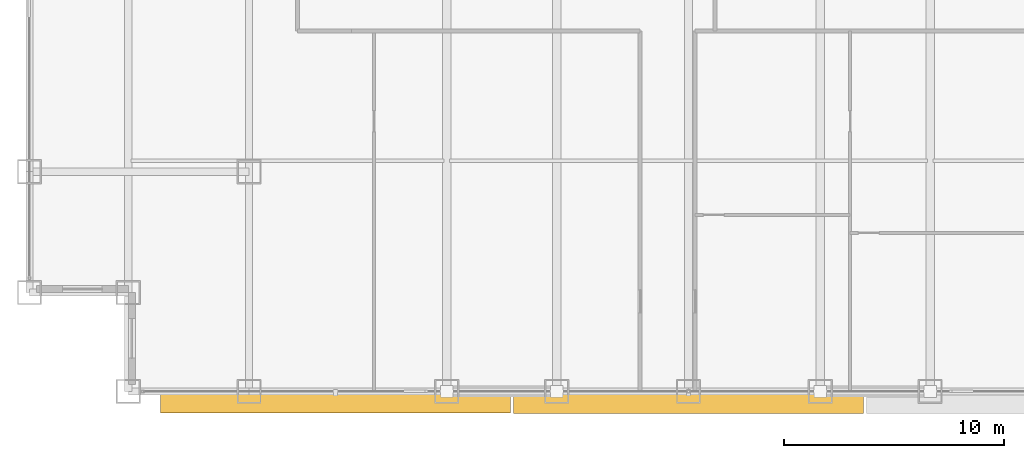
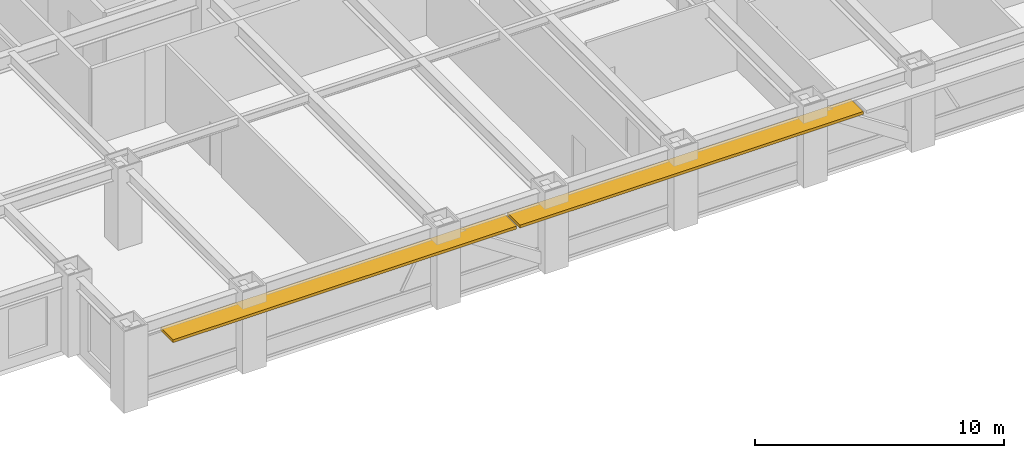
# One storey, part 24 of 28: 2 shading devices.
"""IFC4 building model written with IfcOpenShell, lengths in metres."""

from ifc_helpers import new_model, si_unit, direction, frame, origin, origin_2d, place, context, subcontext, project, spatial, rectangle, extrude, source, transform, mapped, material, layer, layer_set, type_object, element, save


model = new_model("IFC4")

# Units and contexts
model_context = context("Model", 3, precision=1e-05, world=origin(), true_north=direction((0.0, 1.0)))
body_context = subcontext(model_context, "Body", "Model", "MODEL_VIEW")
ifc_project = project(units=[si_unit("LENGTHUNIT", "METRE"), si_unit("AREAUNIT", "SQUARE_METRE"), si_unit("VOLUMEUNIT", "CUBIC_METRE"), si_unit("PLANEANGLEUNIT", "RADIAN"), si_unit("MASSUNIT", "GRAM", prefix="KILO")], contexts=[model_context])

# Site, building, storey
site_placement = place(None, origin())
site = spatial("IfcSite", under=ifc_project, at=site_placement, CompositionType="ELEMENT")
building_placement = place(site_placement, origin())
building = spatial("IfcBuilding", under=site, at=building_placement, Name="Khorayat Bourse Tower", CompositionType="ELEMENT")
storey_placement = place(building_placement, frame((0.0, 0.0, 191.10009765625)))
storey = spatial("IfcBuildingStorey", under=building, at=storey_placement, Name="L44", CompositionType="ELEMENT", Elevation=191.10009765625)

# Shading devices
ifc_material = material(Name="Precast concrete C45/55", Category="concrete")
ifc_layer = layer(ifc_material, 0.139892578125)
ifc_layer_set = layer_set([ifc_layer], Name="Precast concrete C45/55")
shading_device_type = type_object("IfcShadingDeviceType", Name="SHD-WAVE-TRAY-A", PredefinedType="USERDEFINED", material=ifc_layer_set)
shared_shape_1 = source(origin(), body_context, "Body", "SweptSolid", [
    extrude(rectangle(XDim=15.9267578125, YDim=1.00537109375, at=origin_2d()), origin(), (0.0, 0.0, 1.0), 0.139892578125),
])
shading_device_1_placement = place(storey_placement, frame((-16.066650390625, -30.482666015625, 3.02978515625), z_axis=(0.0, 0.0, 1.0), x_axis=(1.0, 0.0, 0.0)))
element("IfcShadingDevice", 1, at=shading_device_1_placement, inside=storey, type_object=shading_device_type, Name="L44 Sinusoidal Wave Sunshade Tray S-1", ObjectType="SUNSHADE", PredefinedType="USERDEFINED", context=body_context, shape_type="MappedRepresentation", body=[
    mapped(shared_shape_1, transform((0.0, 0.0, 0.0), scale=1.0)),
])
shared_shape_2 = source(origin(), body_context, "Body", "SweptSolid", [
    extrude(rectangle(XDim=15.9267578125, YDim=1.017578125, at=origin_2d()), origin(), (0.0, 0.0, 1.0), 0.139892578125),
])
shading_device_2_placement = place(storey_placement, frame((0.0, -30.48876953125, 3.02978515625), z_axis=(0.0, 0.0, 1.0), x_axis=(1.0, 0.0, 0.0)))
element("IfcShadingDevice", 2, at=shading_device_2_placement, inside=storey, type_object=shading_device_type, Name="L44 Sinusoidal Wave Sunshade Tray S-2", ObjectType="SUNSHADE", PredefinedType="USERDEFINED", context=body_context, shape_type="MappedRepresentation", body=[
    mapped(shared_shape_2, transform((0.0, 0.0, 0.0), scale=1.0)),
])

save(model, "model.ifc")
